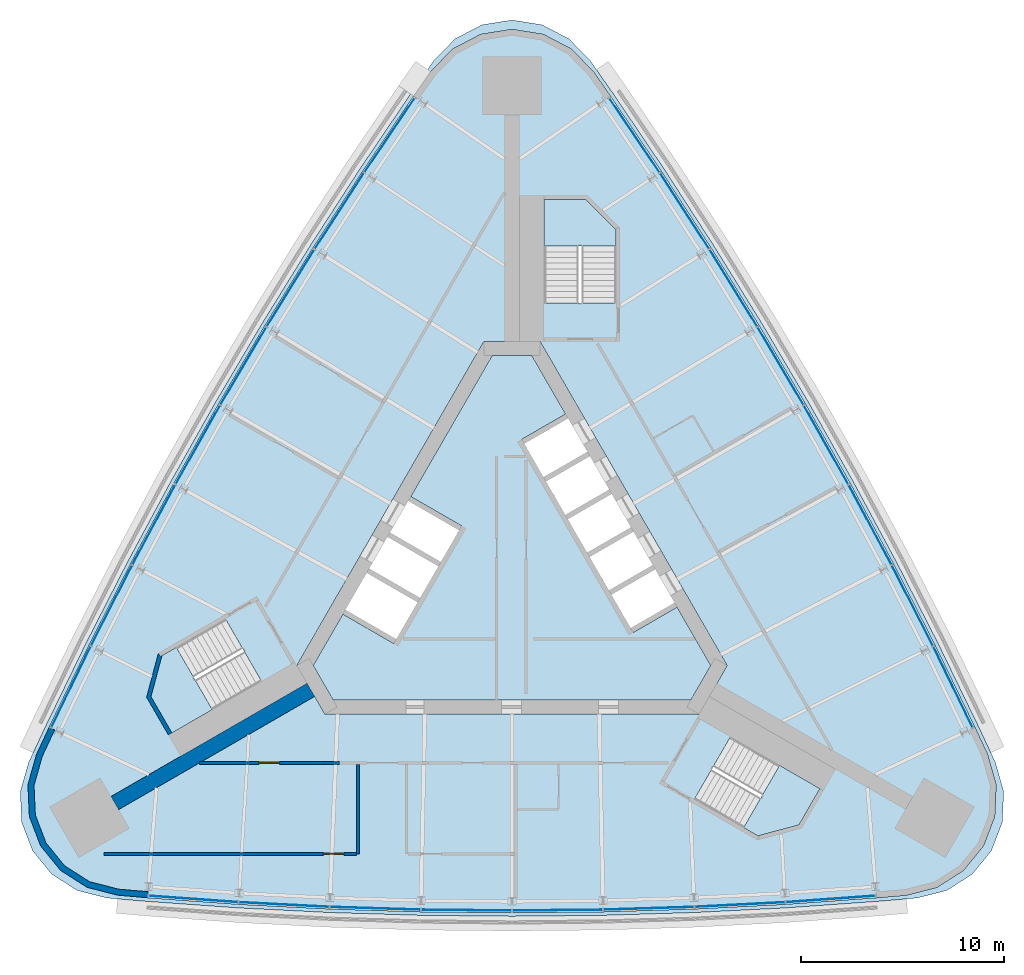
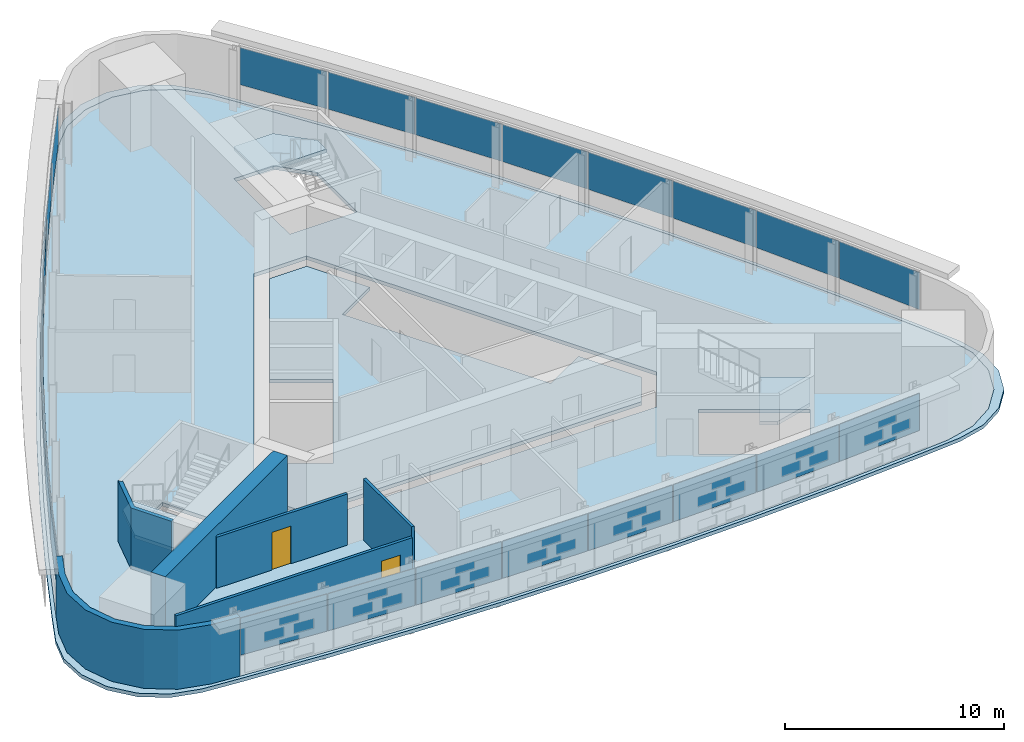
# One storey, part 8 of 13: 24 plates, 6 slabs, 6 walls, 2 doors, 2 openings, 6 elements without a shape of their own.
"""IFC4 building model written with IfcOpenShell, lengths in metres."""

from ifc_helpers import new_model, si_unit, direction, frame, frame_2d, origin, origin_2d, place, context, subcontext, project, spatial, polyline, rectangle, outline, extrude, material, layer, layer_set, type_object, element, fill, aggregate, save


model = new_model("IFC4")

# Units and contexts
model_context = context("Model", 3, precision=1e-05, world=origin(), true_north=direction((0.0, 1.0)))
body_context = subcontext(model_context, "Body", "Model", "MODEL_VIEW")
ifc_project = project(units=[si_unit("LENGTHUNIT", "METRE"), si_unit("AREAUNIT", "SQUARE_METRE"), si_unit("VOLUMEUNIT", "CUBIC_METRE"), si_unit("PLANEANGLEUNIT", "RADIAN"), si_unit("MASSUNIT", "GRAM", prefix="KILO")], contexts=[model_context])

# Site, building, storey
site_placement = place(None, origin())
site = spatial("IfcSite", under=ifc_project, at=site_placement, CompositionType="ELEMENT")
building_placement = place(site_placement, origin())
building = spatial("IfcBuilding", under=site, at=building_placement, Name="Noor Cloister Tower", CompositionType="ELEMENT")
storey_placement = place(building_placement, frame((0.0, 0.0, 140.10009765625)))
storey = spatial("IfcBuildingStorey", under=building, at=storey_placement, Name="L35", CompositionType="ELEMENT", Elevation=140.10009765625)

# Slabs
ifc_material_1 = material(Name="Concrete C40/50", Category="concrete")
ifc_layer_1 = layer(ifc_material_1, 0.199951171875)
ifc_layer_set_1 = layer_set([ifc_layer_1], Name="Core floor slab 200 C40/50")
slab_type_1 = type_object("IfcSlabType", Name="Core floor slab 200 C40/50", PredefinedType="FLOOR", material=ifc_layer_set_1)
slab_1_placement = place(storey_placement, frame((0.0, 0.0, -0.2001953125)))
element("IfcSlab", 1, at=slab_1_placement, inside=storey, type_object=slab_type_1, Name="Core floor L35", PredefinedType="FLOOR", context=body_context, shape_type="SweptSolid", body=[
    extrude(outline(polyline([(2.643798828125, 7.877197265625), (0.9814453125, 10.75634765625), (-0.9814453125, 10.75634765625), (-4.993896484375, 3.806884765625), (-2.482421875, 2.35693359375), (-5.832275390625, -3.4453125), (-8.34375, -1.995361328125), (-9.80615234375, -4.5283203125), (-8.82470703125, -6.228271484375), (8.82470703125, -6.228271484375), (9.80615234375, -4.5283203125), (8.143798828125, -1.64892578125), (5.978759765625, -2.89892578125), (0.478759765625, 6.627197265625), (2.643798828125, 7.877197265625)])), origin(), (0.0, 0.0, 1.0), 0.2001953125),
])
ifc_material_2 = material(Name="Concrete C40/50", Category="concrete")
ifc_layer_2 = layer(ifc_material_2, 0.199951171875)
ifc_layer_set_2 = layer_set([ifc_layer_2], Name="Floor slab 200 C40/50")
slab_type_2 = type_object("IfcSlabType", Name="Floor slab 200 C40/50", PredefinedType="FLOOR", material=ifc_layer_set_2)
slab_2_placement = place(storey_placement, frame((0.0, 0.0, -0.2001953125)))
element("IfcSlab", 2, at=slab_2_placement, inside=storey, type_object=slab_type_2, Name="Floor slab L35", PredefinedType="FLOOR", context=body_context, shape_type="SweptSolid", body=[
    extrude(outline(polyline([(4.013916015625, 24.76708984375), (2.92529296875, 25.88525390625), (1.54052734375, 26.604736328125), (0.0, 26.85302734375), (-1.54052734375, 26.604736328125), (-2.92529296875, 25.88525390625), (-4.013916015625, 24.76708984375), (-4.853271484375, 23.5634765625), (-7.376953125, 19.837646484375), (-9.823486328125, 16.06103515625), (-12.1923828125, 12.235107421875), (-14.482177734375, 8.361328125), (-16.69189453125, 4.44140625), (-18.821044921875, 0.47705078125), (-20.868408203125, -3.5302734375), (-22.833251953125, -7.57861328125), (-23.455810546875, -8.907470703125), (-23.8798828125, -10.4091796875), (-23.810791015625, -11.96826171875), (-23.25537109375, -13.426513671875), (-22.27001953125, -14.636474609375), (-20.95458984375, -15.47607421875), (-19.44189453125, -15.859619140625), (-17.979736328125, -15.98486328125), (-13.491455078125, -16.307373046875), (-8.99755859375, -16.5380859375), (-4.499755859375, -16.67626953125), (0.0, -16.722412109375), (4.499755859375, -16.67626953125), (8.99755859375, -16.5380859375), (13.491455078125, -16.307373046875), (17.979736328125, -15.98486328125), (19.44189453125, -15.859619140625), (20.95458984375, -15.47607421875), (22.27001953125, -14.636474609375), (23.25537109375, -13.426513671875), (23.810791015625, -11.96826171875), (23.8798828125, -10.4091796875), (23.455810546875, -8.907470703125), (22.833251953125, -7.57861328125), (20.868408203125, -3.5302734375), (18.821044921875, 0.47705078125), (16.69189453125, 4.44140625), (14.482177734375, 8.361328125), (12.1923828125, 12.235107421875), (9.823486328125, 16.06103515625), (7.376953125, 19.837646484375), (4.853271484375, 23.5634765625), (4.013916015625, 24.76708984375)]), holes=[polyline([(8.999755859375, -11.126220703125), (12.131591796875, -12.934326171875), (14.1572265625, -12.3916015625), (15.19091796875, -10.601318359375), (10.774658203125, -8.0517578125), (8.999755859375, -11.126220703125)]), polyline([(-17.81005859375, -6.064697265625), (-16.776611328125, -7.85498046875), (-12.3603515625, -5.305419921875), (-14.13525390625, -2.23095703125), (-16.662841796875, -3.690185546875), (-17.267333984375, -4.039306640625), (-17.81005859375, -6.064697265625)]), polyline([(-10.6142578125, -4.5283203125), (-9.228759765625, -6.92822265625), (9.228759765625, -6.92822265625), (10.6142578125, -4.5283203125), (1.3857421875, 11.456298828125), (-1.3857421875, 11.456298828125), (-10.6142578125, -4.5283203125)]), polyline([(3.65283203125, 18.456298828125), (1.585693359375, 18.456298828125), (1.585693359375, 13.35693359375), (5.135498046875, 13.35693359375), (5.135498046875, 16.9736328125), (3.65283203125, 18.456298828125)])]), origin(), (0.0, 0.0, 1.0), 0.2001953125),
])

# Curtain wall, plates
ifc_material_3 = material(Name="Aluminium 6063-T6 anodised", Category="aluminium")
curtain_wall_type = type_object("IfcCurtainWallType", Name="Ribbon curtain wall, upper tower CW5", PredefinedType="NOTDEFINED", material=ifc_material_3)
curtain_wall_1_placement = place(storey_placement, origin())
curtain_wall_1 = element("IfcCurtainWall", 3, at=curtain_wall_1_placement, inside=storey, type_object=curtain_wall_type, Name="CW5 L35 NW run 1", PredefinedType="NOTDEFINED")
ifc_material_4 = material(Name="Clear laminated glass 2 x 8 mm", Category="glass")
ifc_layer_3 = layer(ifc_material_4, 0.028076171875)
ifc_layer_set_3 = layer_set([ifc_layer_3], Name="Glass panel CW5")
plate_type = type_object("IfcPlateType", Name="Glass panel CW5", PredefinedType="CURTAIN_PANEL", material=ifc_layer_set_3)
plate_1_placement = place(storey_placement, frame((-6.041748046875, 21.63037109375, 1.08984375), z_axis=(0.0, 0.0, 1.0), x_axis=(-0.560807382092, -0.827946302722, 0.0)))
plate_1 = element("IfcPlate", 4, at=plate_1_placement, type_object=plate_type, Name="CW5 glass panel 1", PredefinedType="CURTAIN_PANEL", context=body_context, shape_type="SweptSolid", body=[
    extrude(rectangle(XDim=4.413818359375, YDim=0.028076171875, at=origin_2d()), origin(), (0.0, 0.0, 1.0), 2.070068359375),
])
plate_2_placement = place(storey_placement, frame((-8.516357421875, 17.89501953125, 1.08984375), z_axis=(0.0, 0.0, 1.0), x_axis=(-0.543714986817, -0.839269928635, 0.0)))
plate_2 = element("IfcPlate", 5, at=plate_2_placement, type_object=plate_type, Name="CW5 glass panel 2", PredefinedType="CURTAIN_PANEL", context=body_context, shape_type="SweptSolid", body=[
    extrude(rectangle(XDim=4.44775390625, YDim=0.028076171875, at=origin_2d()), origin(), (0.0, 0.0, 1.0), 2.070068359375),
])
plate_3_placement = place(storey_placement, frame((-10.9228515625, 14.095458984375, 1.08984375), z_axis=(0.0, 0.0, 1.0), x_axis=(-0.526394042476, -0.850240737701, 0.0)))
plate_3 = element("IfcPlate", 6, at=plate_3_placement, type_object=plate_type, Name="CW5 glass panel 3", PredefinedType="CURTAIN_PANEL", context=body_context, shape_type="SweptSolid", body=[
    extrude(rectangle(XDim=4.44775390625, YDim=0.028076171875, at=origin_2d()), origin(), (0.0, 0.0, 1.0), 2.070068359375),
])
plate_4_placement = place(storey_placement, frame((-13.251220703125, 10.247314453125, 1.08984375), z_axis=(0.0, 0.0, 1.0), x_axis=(-0.508851800866, -0.860854136748, 0.0)))
plate_4 = element("IfcPlate", 7, at=plate_4_placement, type_object=plate_type, Name="CW5 glass panel 4", PredefinedType="CURTAIN_PANEL", context=body_context, shape_type="SweptSolid", body=[
    extrude(rectangle(XDim=4.44775390625, YDim=0.028076171875, at=origin_2d()), origin(), (0.0, 0.0, 1.0), 2.070068359375),
])
plate_5_placement = place(storey_placement, frame((-15.5, 6.352294921875, 1.08984375), z_axis=(0.0, 0.0, 1.0), x_axis=(-0.491095650944, -0.871105654685, 0.0)))
plate_5 = element("IfcPlate", 8, at=plate_5_placement, type_object=plate_type, Name="CW5 glass panel 5", PredefinedType="CURTAIN_PANEL", context=body_context, shape_type="SweptSolid", body=[
    extrude(rectangle(XDim=4.44775390625, YDim=0.028076171875, at=origin_2d()), origin(), (0.0, 0.0, 1.0), 2.070068359375),
])
plate_6_placement = place(storey_placement, frame((-17.66845703125, 2.411865234375, 1.08984375), z_axis=(0.0, 0.0, 1.0), x_axis=(-0.473133056943, -0.880990982035, 0.0)))
plate_6 = element("IfcPlate", 9, at=plate_6_placement, type_object=plate_type, Name="CW5 glass panel 6", PredefinedType="CURTAIN_PANEL", context=body_context, shape_type="SweptSolid", body=[
    extrude(rectangle(XDim=4.44775390625, YDim=0.028076171875, at=origin_2d()), origin(), (0.0, 0.0, 1.0), 2.070068359375),
])
plate_7_placement = place(storey_placement, frame((-19.755615234375, -1.572021484375, 1.08984375), z_axis=(0.0, 0.0, 1.0), x_axis=(-0.454971585422, -0.890505955319, 0.0)))
plate_7 = element("IfcPlate", 10, at=plate_7_placement, type_object=plate_type, Name="CW5 glass panel 7", PredefinedType="CURTAIN_PANEL", context=body_context, shape_type="SweptSolid", body=[
    extrude(rectangle(XDim=4.44775390625, YDim=0.028076171875, at=origin_2d()), origin(), (0.0, 0.0, 1.0), 2.070068359375),
])
plate_8_placement = place(storey_placement, frame((-21.75341796875, -5.582763671875, 1.08984375), z_axis=(0.0, 0.0, 1.0), x_axis=(-0.436618840081, -0.899646590882, 0.0)))
plate_8 = element("IfcPlate", 11, at=plate_8_placement, type_object=plate_type, Name="CW5 glass panel 8", PredefinedType="CURTAIN_PANEL", context=body_context, shape_type="SweptSolid", body=[
    extrude(rectangle(XDim=4.413818359375, YDim=0.028076171875, at=origin_2d()), origin(), (0.0, 0.0, 1.0), 2.070068359375),
])
aggregate(curtain_wall_1, [plate_1, plate_2, plate_3, plate_4, plate_5, plate_6, plate_7, plate_8])

curtain_wall_2_placement = place(storey_placement, origin())
curtain_wall_2 = element("IfcCurtainWall", 12, at=curtain_wall_2_placement, inside=storey, type_object=curtain_wall_type, Name="CW5 L35 S run 2", PredefinedType="NOTDEFINED")
plate_9_placement = place(storey_placement, frame((-15.71142578125, -16.047607421875, 1.08984375), z_axis=(0.0, 0.0, 1.0), x_axis=(0.997426222173, -0.07170028816, 0.0)))
plate_9 = element("IfcPlate", 13, at=plate_9_placement, type_object=plate_type, Name="CW5 glass panel 1", PredefinedType="CURTAIN_PANEL", context=body_context, shape_type="SweptSolid", body=[
    extrude(rectangle(XDim=4.413818359375, YDim=0.028076171875, at=origin_2d()), origin(), (0.0, 0.0, 1.0), 2.070068359375),
])
plate_10_placement = place(storey_placement, frame((-11.2392578125, -16.32275390625, 1.08984375), z_axis=(0.0, 0.0, 1.0), x_axis=(0.998686572239, -0.051236026684, 0.0)))
plate_10 = element("IfcPlate", 14, at=plate_10_placement, type_object=plate_type, Name="CW5 glass panel 2", PredefinedType="CURTAIN_PANEL", context=body_context, shape_type="SweptSolid", body=[
    extrude(rectangle(XDim=4.44775390625, YDim=0.028076171875, at=origin_2d()), origin(), (0.0, 0.0, 1.0), 2.070068359375),
])
plate_11_placement = place(storey_placement, frame((-6.74560546875, -16.50732421875, 1.08984375), z_axis=(0.0, 0.0, 1.0), x_axis=(0.999527099419, -0.030750244335, 0.0)))
plate_11 = element("IfcPlate", 15, at=plate_11_placement, type_object=plate_type, Name="CW5 glass panel 3", PredefinedType="CURTAIN_PANEL", context=body_context, shape_type="SweptSolid", body=[
    extrude(rectangle(XDim=4.44775390625, YDim=0.028076171875, at=origin_2d()), origin(), (0.0, 0.0, 1.0), 2.070068359375),
])
plate_12_placement = place(storey_placement, frame((-2.248779296875, -16.599365234375, 1.08984375), z_axis=(0.0, 0.0, 1.0), x_axis=(0.999947451809, -0.010251517937, 0.0)))
plate_12 = element("IfcPlate", 16, at=plate_12_placement, type_object=plate_type, Name="CW5 glass panel 4", PredefinedType="CURTAIN_PANEL", context=body_context, shape_type="SweptSolid", body=[
    extrude(rectangle(XDim=4.44775390625, YDim=0.028076171875, at=origin_2d()), origin(), (0.0, 0.0, 1.0), 2.070068359375),
])
plate_13_placement = place(storey_placement, frame((2.248779296875, -16.599365234375, 1.08984375), z_axis=(0.0, 0.0, 1.0), x_axis=(0.999947451809, 0.010251517937, 0.0)))
plate_13 = element("IfcPlate", 17, at=plate_13_placement, type_object=plate_type, Name="CW5 glass panel 5", PredefinedType="CURTAIN_PANEL", context=body_context, shape_type="SweptSolid", body=[
    extrude(rectangle(XDim=4.44775390625, YDim=0.028076171875, at=origin_2d()), origin(), (0.0, 0.0, 1.0), 2.070068359375),
])
plate_14_placement = place(storey_placement, frame((6.74560546875, -16.50732421875, 1.08984375), z_axis=(0.0, 0.0, 1.0), x_axis=(0.999527099419, 0.030750244335, 0.0)))
plate_14 = element("IfcPlate", 18, at=plate_14_placement, type_object=plate_type, Name="CW5 glass panel 6", PredefinedType="CURTAIN_PANEL", context=body_context, shape_type="SweptSolid", body=[
    extrude(rectangle(XDim=4.44775390625, YDim=0.028076171875, at=origin_2d()), origin(), (0.0, 0.0, 1.0), 2.070068359375),
])
plate_15_placement = place(storey_placement, frame((11.2392578125, -16.32275390625, 1.08984375), z_axis=(0.0, 0.0, 1.0), x_axis=(0.998686572239, 0.051236026684, 0.0)))
plate_15 = element("IfcPlate", 19, at=plate_15_placement, type_object=plate_type, Name="CW5 glass panel 7", PredefinedType="CURTAIN_PANEL", context=body_context, shape_type="SweptSolid", body=[
    extrude(rectangle(XDim=4.44775390625, YDim=0.028076171875, at=origin_2d()), origin(), (0.0, 0.0, 1.0), 2.070068359375),
])
plate_16_placement = place(storey_placement, frame((15.71142578125, -16.047607421875, 1.08984375), z_axis=(0.0, 0.0, 1.0), x_axis=(0.997426222173, 0.07170028816, 0.0)))
plate_16 = element("IfcPlate", 20, at=plate_16_placement, type_object=plate_type, Name="CW5 glass panel 8", PredefinedType="CURTAIN_PANEL", context=body_context, shape_type="SweptSolid", body=[
    extrude(rectangle(XDim=4.413818359375, YDim=0.028076171875, at=origin_2d()), origin(), (0.0, 0.0, 1.0), 2.070068359375),
])
aggregate(curtain_wall_2, [plate_9, plate_10, plate_11, plate_12, plate_13, plate_14, plate_15, plate_16])

curtain_wall_3_placement = place(storey_placement, origin())
curtain_wall_3 = element("IfcCurtainWall", 21, at=curtain_wall_3_placement, inside=storey, type_object=curtain_wall_type, Name="CW5 L35 NE run 3", PredefinedType="NOTDEFINED")
plate_17_placement = place(storey_placement, frame((21.75341796875, -5.582763671875, 1.08984375), z_axis=(0.0, 0.0, 1.0), x_axis=(-0.436618840081, 0.899646590882, 0.0)))
plate_17 = element("IfcPlate", 22, at=plate_17_placement, type_object=plate_type, Name="CW5 glass panel 1", PredefinedType="CURTAIN_PANEL", context=body_context, shape_type="SweptSolid", body=[
    extrude(rectangle(XDim=4.413818359375, YDim=0.028076171875, at=origin_2d()), origin(), (0.0, 0.0, 1.0), 2.070068359375),
])
plate_18_placement = place(storey_placement, frame((19.755615234375, -1.572021484375, 1.08984375), z_axis=(0.0, 0.0, 1.0), x_axis=(-0.454971585422, 0.890505955319, 0.0)))
plate_18 = element("IfcPlate", 23, at=plate_18_placement, type_object=plate_type, Name="CW5 glass panel 2", PredefinedType="CURTAIN_PANEL", context=body_context, shape_type="SweptSolid", body=[
    extrude(rectangle(XDim=4.44775390625, YDim=0.028076171875, at=origin_2d()), origin(), (0.0, 0.0, 1.0), 2.070068359375),
])
plate_19_placement = place(storey_placement, frame((17.66845703125, 2.411865234375, 1.08984375), z_axis=(0.0, 0.0, 1.0), x_axis=(-0.473133056943, 0.880990982035, 0.0)))
plate_19 = element("IfcPlate", 24, at=plate_19_placement, type_object=plate_type, Name="CW5 glass panel 3", PredefinedType="CURTAIN_PANEL", context=body_context, shape_type="SweptSolid", body=[
    extrude(rectangle(XDim=4.44775390625, YDim=0.028076171875, at=origin_2d()), origin(), (0.0, 0.0, 1.0), 2.070068359375),
])
plate_20_placement = place(storey_placement, frame((15.5, 6.352294921875, 1.08984375), z_axis=(0.0, 0.0, 1.0), x_axis=(-0.491095650944, 0.871105654685, 0.0)))
plate_20 = element("IfcPlate", 25, at=plate_20_placement, type_object=plate_type, Name="CW5 glass panel 4", PredefinedType="CURTAIN_PANEL", context=body_context, shape_type="SweptSolid", body=[
    extrude(rectangle(XDim=4.44775390625, YDim=0.028076171875, at=origin_2d()), origin(), (0.0, 0.0, 1.0), 2.070068359375),
])
plate_21_placement = place(storey_placement, frame((13.251220703125, 10.247314453125, 1.08984375), z_axis=(0.0, 0.0, 1.0), x_axis=(-0.508851800866, 0.860854136748, 0.0)))
plate_21 = element("IfcPlate", 26, at=plate_21_placement, type_object=plate_type, Name="CW5 glass panel 5", PredefinedType="CURTAIN_PANEL", context=body_context, shape_type="SweptSolid", body=[
    extrude(rectangle(XDim=4.44775390625, YDim=0.028076171875, at=origin_2d()), origin(), (0.0, 0.0, 1.0), 2.070068359375),
])
plate_22_placement = place(storey_placement, frame((10.9228515625, 14.095458984375, 1.08984375), z_axis=(0.0, 0.0, 1.0), x_axis=(-0.526394042476, 0.850240737701, 0.0)))
plate_22 = element("IfcPlate", 27, at=plate_22_placement, type_object=plate_type, Name="CW5 glass panel 6", PredefinedType="CURTAIN_PANEL", context=body_context, shape_type="SweptSolid", body=[
    extrude(rectangle(XDim=4.44775390625, YDim=0.028076171875, at=origin_2d()), origin(), (0.0, 0.0, 1.0), 2.070068359375),
])
plate_23_placement = place(storey_placement, frame((8.516357421875, 17.89501953125, 1.08984375), z_axis=(0.0, 0.0, 1.0), x_axis=(-0.543714986817, 0.839269928635, 0.0)))
plate_23 = element("IfcPlate", 28, at=plate_23_placement, type_object=plate_type, Name="CW5 glass panel 7", PredefinedType="CURTAIN_PANEL", context=body_context, shape_type="SweptSolid", body=[
    extrude(rectangle(XDim=4.44775390625, YDim=0.028076171875, at=origin_2d()), origin(), (0.0, 0.0, 1.0), 2.070068359375),
])
plate_24_placement = place(storey_placement, frame((6.041748046875, 21.63037109375, 1.08984375), z_axis=(0.0, 0.0, 1.0), x_axis=(-0.560807382092, 0.827946302722, 0.0)))
plate_24 = element("IfcPlate", 29, at=plate_24_placement, type_object=plate_type, Name="CW5 glass panel 8", PredefinedType="CURTAIN_PANEL", context=body_context, shape_type="SweptSolid", body=[
    extrude(rectangle(XDim=4.413818359375, YDim=0.028076171875, at=origin_2d()), origin(), (0.0, 0.0, 1.0), 2.070068359375),
])
aggregate(curtain_wall_3, [plate_17, plate_18, plate_19, plate_20, plate_21, plate_22, plate_23, plate_24])

# Slab
ifc_material_5 = material(Name="Concrete C40/50", Category="concrete")
ifc_layer_4 = layer(ifc_material_5, 0.199951171875)
ifc_layer_set_4 = layer_set([ifc_layer_4], Name="Ledge roof 200 C40/50")
slab_type_3 = type_object("IfcSlabType", Name="Ledge roof 200 C40/50", PredefinedType="ROOF", material=ifc_layer_set_4)
slab_3_placement = place(storey_placement, frame((0.0, 0.0, -0.2001953125)))
element("IfcSlab", 30, at=slab_3_placement, inside=storey, type_object=slab_type_3, Name="Ledge roof L35", PredefinedType="ROOF", context=body_context, shape_type="SweptSolid", body=[
    extrude(outline(polyline([(5.0126953125, 23.65576171875), (3.853271484375, 25.31689453125), (2.807373046875, 26.38818359375), (1.478271484375, 27.07763671875), (0.0, 27.3154296875), (-1.478271484375, 27.07763671875), (-2.807373046875, 26.38818359375), (-3.853271484375, 25.31689453125), (-5.0126953125, 23.65576171875), (-7.533447265625, 19.92822265625), (-9.978271484375, 16.150390625), (-12.345703125, 12.323486328125), (-14.635009765625, 8.449462890625), (-16.845458984375, 4.52978515625), (-18.9755859375, 0.566162109375), (-21.025146484375, -3.43994140625), (-22.992919921875, -7.48681640625), (-23.851806640625, -9.321533203125), (-24.256591796875, -10.762939453125), (-24.18896484375, -12.258544921875), (-23.65576171875, -13.65771484375), (-22.710693359375, -14.81884765625), (-21.44921875, -15.625244140625), (-19.99853515625, -15.995361328125), (-17.980224609375, -16.1689453125), (-13.49169921875, -16.48828125), (-8.99755859375, -16.716552734375), (-4.499755859375, -16.853515625), (0.0, -16.899169921875), (4.499755859375, -16.853515625), (8.99755859375, -16.716552734375), (13.49169921875, -16.48828125), (17.980224609375, -16.1689453125), (19.99853515625, -15.995361328125), (21.44921875, -15.625244140625), (22.710693359375, -14.81884765625), (23.65576171875, -13.65771484375), (24.18896484375, -12.258544921875), (24.256591796875, -10.762939453125), (23.851806640625, -9.321533203125), (22.992919921875, -7.48681640625), (21.025146484375, -3.43994140625), (18.9755859375, 0.566162109375), (16.845458984375, 4.52978515625), (14.635009765625, 8.449462890625), (12.345703125, 12.323486328125), (9.978271484375, 16.150390625), (7.533447265625, 19.92822265625), (5.0126953125, 23.65576171875)]), holes=[polyline([(1.54052734375, 26.604736328125), (0.0, 26.85302734375), (-1.54052734375, 26.604736328125), (-2.92529296875, 25.88525390625), (-4.013916015625, 24.76708984375), (-4.853271484375, 23.5634765625), (-7.376953125, 19.837646484375), (-9.823486328125, 16.06103515625), (-12.1923828125, 12.235107421875), (-14.482177734375, 8.361328125), (-16.69189453125, 4.44140625), (-18.821044921875, 0.47705078125), (-20.868408203125, -3.5302734375), (-22.833251953125, -7.57861328125), (-23.455810546875, -8.907470703125), (-23.8798828125, -10.4091796875), (-23.810791015625, -11.96826171875), (-23.25537109375, -13.426513671875), (-22.27001953125, -14.636474609375), (-20.95458984375, -15.47607421875), (-19.44189453125, -15.859619140625), (-17.979736328125, -15.98486328125), (-13.491455078125, -16.307373046875), (-8.99755859375, -16.5380859375), (-4.499755859375, -16.67626953125), (0.0, -16.722412109375), (4.499755859375, -16.67626953125), (8.99755859375, -16.5380859375), (13.491455078125, -16.307373046875), (17.979736328125, -15.98486328125), (19.44189453125, -15.859619140625), (20.95458984375, -15.47607421875), (22.27001953125, -14.636474609375), (23.25537109375, -13.426513671875), (23.810791015625, -11.96826171875), (23.8798828125, -10.4091796875), (23.455810546875, -8.907470703125), (22.833251953125, -7.57861328125), (20.868408203125, -3.5302734375), (18.821044921875, 0.47705078125), (16.69189453125, 4.44140625), (14.482177734375, 8.361328125), (12.1923828125, 12.235107421875), (9.823486328125, 16.06103515625), (7.376953125, 19.837646484375), (4.853271484375, 23.5634765625), (4.013916015625, 24.76708984375), (2.92529296875, 25.88525390625), (1.54052734375, 26.604736328125)])]), origin(), (0.0, 0.0, 1.0), 0.2001953125),
])

# Stair, slab
ifc_material_6 = material(Name="Concrete C40/50", Category="concrete")
stair_type = type_object("IfcStairType", Name="Exit stair 22 risers", PredefinedType="HALF_TURN_STAIR", material=ifc_material_6)
stair_1_placement = place(storey_placement, origin())
stair_1 = element("IfcStair", 31, at=stair_1_placement, inside=storey, type_object=stair_type, Name="Exit stair ST1 L35", PredefinedType="HALF_TURN_STAIR")
ifc_material_7 = material(Name="Concrete C40/50", Category="concrete")
ifc_layer_5 = layer(ifc_material_7, 0.199951171875)
ifc_layer_set_5 = layer_set([ifc_layer_5], Name="Stair landing 200 C40/50")
slab_type_4 = type_object("IfcSlabType", Name="Stair landing 200 C40/50", PredefinedType="LANDING", material=ifc_layer_set_5)
slab_4_placement = place(storey_placement, frame((0.0, 0.0, 1.599853515625)))
slab_4 = element("IfcSlab", 32, at=slab_4_placement, type_object=slab_type_4, Name="ST1 landing 1", PredefinedType="LANDING", context=body_context, shape_type="SweptSolid", body=[
    extrude(outline(polyline([(5.135498046875, 16.15576171875), (5.135498046875, 16.9736328125), (3.65283203125, 18.456298828125), (1.585693359375, 18.456298828125), (1.585693359375, 16.15576171875), (5.135498046875, 16.15576171875)])), origin(), (0.0, 0.0, 1.0), 0.199951171875),
])
aggregate(stair_1, [slab_4])

stair_2_placement = place(storey_placement, origin())
stair_2 = element("IfcStair", 33, at=stair_2_placement, inside=storey, type_object=stair_type, Name="Exit stair ST2 L35", PredefinedType="HALF_TURN_STAIR")
slab_5_placement = place(storey_placement, frame((0.0, 0.0, 1.599853515625)))
slab_5 = element("IfcSlab", 34, at=slab_5_placement, type_object=slab_type_4, Name="ST2 landing 1", PredefinedType="LANDING", context=body_context, shape_type="SweptSolid", body=[
    extrude(outline(polyline([(-16.55908203125, -3.63037109375), (-17.267333984375, -4.039306640625), (-17.81005859375, -6.064697265625), (-16.776611328125, -7.85498046875), (-14.7841796875, -6.70458984375), (-16.55908203125, -3.63037109375)])), origin(), (0.0, 0.0, 1.0), 0.199951171875),
])
aggregate(stair_2, [slab_5])

stair_3_placement = place(storey_placement, origin())
stair_3 = element("IfcStair", 35, at=stair_3_placement, inside=storey, type_object=stair_type, Name="Exit stair ST3 L35", PredefinedType="HALF_TURN_STAIR")
slab_6_placement = place(storey_placement, frame((0.0, 0.0, 1.599853515625)))
slab_6 = element("IfcSlab", 36, at=slab_6_placement, type_object=slab_type_4, Name="ST3 landing 1", PredefinedType="LANDING", context=body_context, shape_type="SweptSolid", body=[
    extrude(outline(polyline([(11.423583984375, -12.525390625), (12.131591796875, -12.934326171875), (14.1572265625, -12.3916015625), (15.19091796875, -10.601318359375), (13.198486328125, -9.451171875), (11.423583984375, -12.525390625)])), origin(), (0.0, 0.0, 1.0), 0.199951171875),
])
aggregate(stair_3, [slab_6])

# Wall
ifc_material_8 = material(Name="Concrete C70/85", Category="concrete")
ifc_layer_6 = layer(ifc_material_8, 0.75)
ifc_layer_set_6 = layer_set([ifc_layer_6], Name="Buttress wall 750 C70/85")
wall_type_1 = type_object("IfcWallType", Name="Buttress wall 750 C70/85", PredefinedType="SHEAR", material=ifc_layer_set_6)
wall_1_placement = place(storey_placement, frame((-9.921630859375, -5.728271484375, -0.2001953125), z_axis=(0.0, 0.0, 1.0), x_axis=(-0.866023928423, -0.500002555393, 0.0)))
element("IfcWall", 37, at=wall_1_placement, inside=storey, type_object=wall_type_1, Name="Buttress wall SW L35", PredefinedType="SHEAR", context=body_context, shape_type="SweptSolid", body=[
    extrude(rectangle(XDim=11.16650390625, YDim=0.75, at=frame_2d((5.583251953125, 0.0))), origin(), (0.0, 0.0, 1.0), 3.60009765625),
])

# Wall, opening, door
ifc_material_9 = material(Name="Gypsum board partition on steel studs, 150 mm", Category="steel")
ifc_layer_7 = layer(ifc_material_9, 0.14990234375)
ifc_layer_set_7 = layer_set([ifc_layer_7], Name="Flat wall 150")
wall_type_2 = type_object("IfcWallType", Name="Flat wall 150", PredefinedType="PARTITIONING", material=ifc_layer_set_7)
wall_2_placement = place(storey_placement, frame((-15.406982421875, -9.328125, 0.0), z_axis=(0.0, 0.0, 1.0), x_axis=(1.0, 0.0, 0.0)))
wall_2 = element("IfcWall", 38, at=wall_2_placement, inside=storey, type_object=wall_type_2, Name="Wall L35-W08", PredefinedType="PARTITIONING", context=body_context, shape_type="SweptSolid", body=[
    extrude(rectangle(XDim=6.905517578125, YDim=0.14990234375, at=frame_2d((3.45263671875, 0.0))), origin(), (0.0, 0.0, 1.0), 2.851806640625),
])
opening_1_placement = place(wall_2_placement, frame((2.927734375, 0.0, 0.0)))
opening_1 = element("IfcOpeningElement", 39, at=opening_1_placement, cuts=wall_2, Name="Opening L35-007", PredefinedType="OPENING", context=body_context, shape_type="SweptSolid", body=[
    extrude(rectangle(XDim=1.0, YDim=2.10009765625, at=frame_2d((0.5, 1.050048828125))), frame((0.0, 0.0849609375, 0.0), z_axis=(0.0, -1.0, 0.0), x_axis=(1.0, 0.0, 0.0)), (0.0, 0.0, 1.0), 0.169921875),
])
ifc_material_10 = material(Name="Timber door leaf with steel frame", Category="steel")
door_type = type_object("IfcDoorType", Name="Interior door 1000 FD60", OperationType="NOTDEFINED", PredefinedType="DOOR", material=ifc_material_10)
door_1_placement = place(opening_1_placement, origin())
door_1 = element("IfcDoor", 40, at=door_1_placement, inside=storey, type_object=door_type, Name="Door L35-007", OperationType="SINGLE_SWING_LEFT", OverallHeight=2.10009765625, OverallWidth=1.0, PredefinedType="DOOR", context=body_context, shape_type="SweptSolid", body=[
    extrude(rectangle(XDim=1.0, YDim=2.10009765625, at=frame_2d((0.5, 1.050048828125))), frame((0.0, 0.02490234375, 0.0), z_axis=(0.0, -1.0, 0.0), x_axis=(1.0, 0.0, 0.0)), (0.0, 0.0, 1.0), 0.050048828125),
])
fill(opening_1, door_1)

# Wall
wall_3_placement = place(storey_placement, frame((-7.599853515625, -9.4033203125, 0.0), z_axis=(0.0, 0.0, 1.0), x_axis=(0.0, -1.0, 0.0)))
element("IfcWall", 41, at=wall_3_placement, inside=storey, type_object=wall_type_2, Name="Wall L35-W12", PredefinedType="PARTITIONING", context=body_context, shape_type="SweptSolid", body=[
    extrude(rectangle(XDim=4.41650390625, YDim=0.14990234375, at=frame_2d((2.208251953125, 0.0))), origin(), (0.0, 0.0, 1.0), 3.39990234375),
])

# Wall, opening, door
wall_4_placement = place(storey_placement, frame((-20.136474609375, -13.81982421875, 0.0), z_axis=(0.0, 0.0, 1.0), x_axis=(1.0, 0.0, 0.0)))
wall_4 = element("IfcWall", 42, at=wall_4_placement, inside=storey, type_object=wall_type_2, Name="Wall L35-W14", PredefinedType="PARTITIONING", context=body_context, shape_type="SweptSolid", body=[
    extrude(rectangle(XDim=12.461669921875, YDim=0.14990234375, at=frame_2d((6.23095703125, 0.0))), origin(), (0.0, 0.0, 1.0), 2.851806640625),
])
opening_2_placement = place(wall_4_placement, frame((10.836669921875, 0.0, 0.0)))
opening_2 = element("IfcOpeningElement", 43, at=opening_2_placement, cuts=wall_4, Name="Opening L35-006", PredefinedType="OPENING", context=body_context, shape_type="SweptSolid", body=[
    extrude(rectangle(XDim=1.0, YDim=2.10009765625, at=frame_2d((0.5, 1.050048828125))), frame((0.0, 0.0849609375, 0.0), z_axis=(0.0, -1.0, 0.0), x_axis=(1.0, 0.0, 0.0)), (0.0, 0.0, 1.0), 0.169921875),
])
door_2_placement = place(opening_2_placement, origin())
door_2 = element("IfcDoor", 44, at=door_2_placement, inside=storey, type_object=door_type, Name="Door L35-006", OperationType="SINGLE_SWING_RIGHT", OverallHeight=2.10009765625, OverallWidth=1.0, PredefinedType="DOOR", context=body_context, shape_type="SweptSolid", body=[
    extrude(rectangle(XDim=1.0, YDim=2.10009765625, at=frame_2d((0.5, 1.050048828125))), frame((0.0, 0.02490234375, 0.0), z_axis=(0.0, -1.0, 0.0), x_axis=(1.0, 0.0, 0.0)), (0.0, 0.0, 1.0), 0.050048828125),
])
fill(opening_2, door_2)

# Walls
ifc_material_11 = material(Name="Limestone", Category="masonry")
ifc_layer_8 = layer(ifc_material_11, 0.300048828125)
ifc_layer_set_8 = layer_set([ifc_layer_8], Name="Limestone cladding 300")
wall_type_3 = type_object("IfcWallType", Name="Limestone cladding 300", PredefinedType="NOTDEFINED", material=ifc_layer_set_8)
wall_5_placement = place(storey_placement, origin())
element("IfcWall", 45, at=wall_5_placement, inside=storey, type_object=wall_type_3, Name="Limestone pier cladding L35 1.1", PredefinedType="NOTDEFINED", context=body_context, shape_type="SweptSolid", body=[
    extrude(outline(polyline([(-22.833251953125, -7.57861328125), (-23.455810546875, -8.907470703125), (-23.8798828125, -10.4091796875), (-23.810791015625, -11.96826171875), (-23.25537109375, -13.426513671875), (-22.27001953125, -14.636474609375), (-20.95458984375, -15.47607421875), (-19.44189453125, -15.859619140625), (-17.979736328125, -15.98486328125), (-17.954345703125, -15.685791015625), (-19.39208984375, -15.56298828125), (-20.833984375, -15.197021484375), (-22.06787109375, -14.40966796875), (-22.9921875, -13.274658203125), (-23.51318359375, -11.906494140625), (-23.578125, -10.444091796875), (-23.173828125, -9.012451171875), (-22.5615234375, -7.705810546875), (-22.833251953125, -7.57861328125)])), origin(), (0.0, 0.0, 1.0), 3.2998046875),
])
ifc_material_12 = material(Name="Concrete C70/85", Category="concrete")
wall_type_4 = type_object("IfcWallType", Name="Stair far end wall C70/85", PredefinedType="SHEAR", material=ifc_material_12)
wall_6_placement = place(storey_placement, frame((0.0, 0.0, -0.2001953125)))
element("IfcWall", 46, at=wall_6_placement, inside=storey, type_object=wall_type_4, Name="Stair enclosure wall ST2 L35 far end", PredefinedType="SHEAR", context=body_context, shape_type="SweptSolid", body=[
    extrude(outline(polyline([(-17.439208984375, -3.907470703125), (-18.024658203125, -6.093017578125), (-16.94970703125, -7.955078125), (-16.776611328125, -7.85498046875), (-17.81005859375, -6.064697265625), (-17.267333984375, -4.039306640625), (-17.339111328125, -4.08056640625), (-17.339111328125, -4.08056640625), (-17.339111328125, -4.08056640625), (-17.339111328125, -4.08056640625), (-17.339111328125, -4.08056640625), (-17.339111328125, -4.08056640625), (-17.339111328125, -4.08056640625), (-17.339111328125, -4.08056640625), (-17.339111328125, -4.08056640625), (-17.339111328125, -4.08056640625), (-17.339111328125, -4.08056640625), (-17.339111328125, -4.08056640625), (-17.339111328125, -4.08056640625), (-17.339111328125, -4.08056640625), (-17.339111328125, -4.08056640625), (-17.339111328125, -4.08056640625), (-17.339111328125, -4.08056640625), (-17.439208984375, -3.907470703125)])), origin(), (0.0, 0.0, 1.0), 3.60009765625),
])

save(model, "model.ifc")
